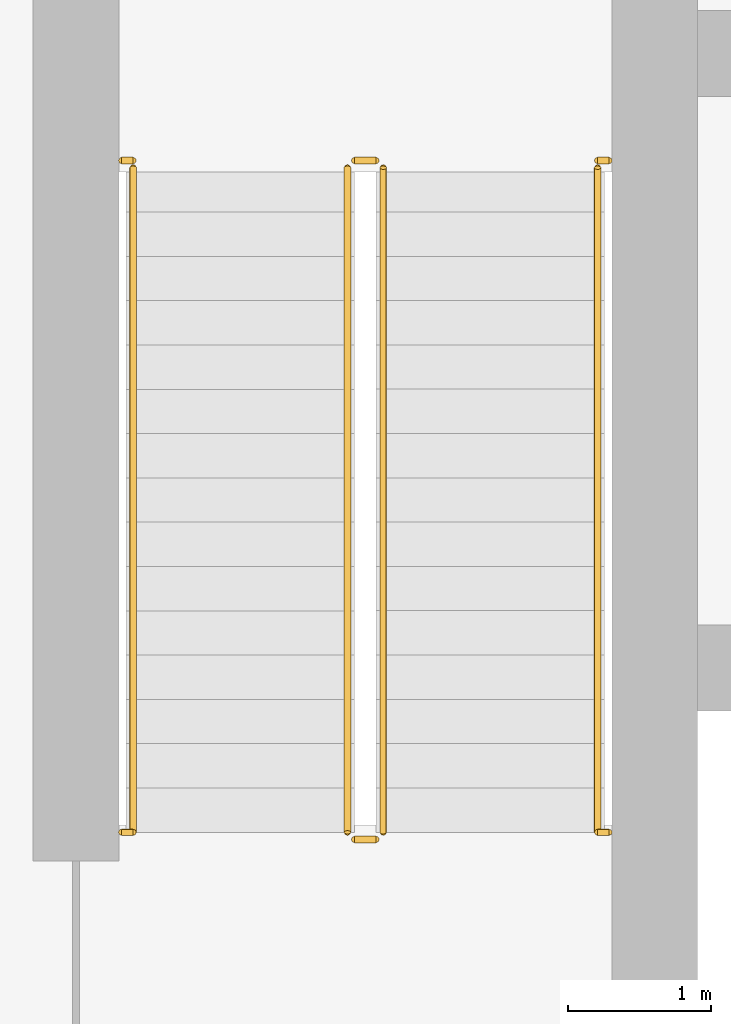
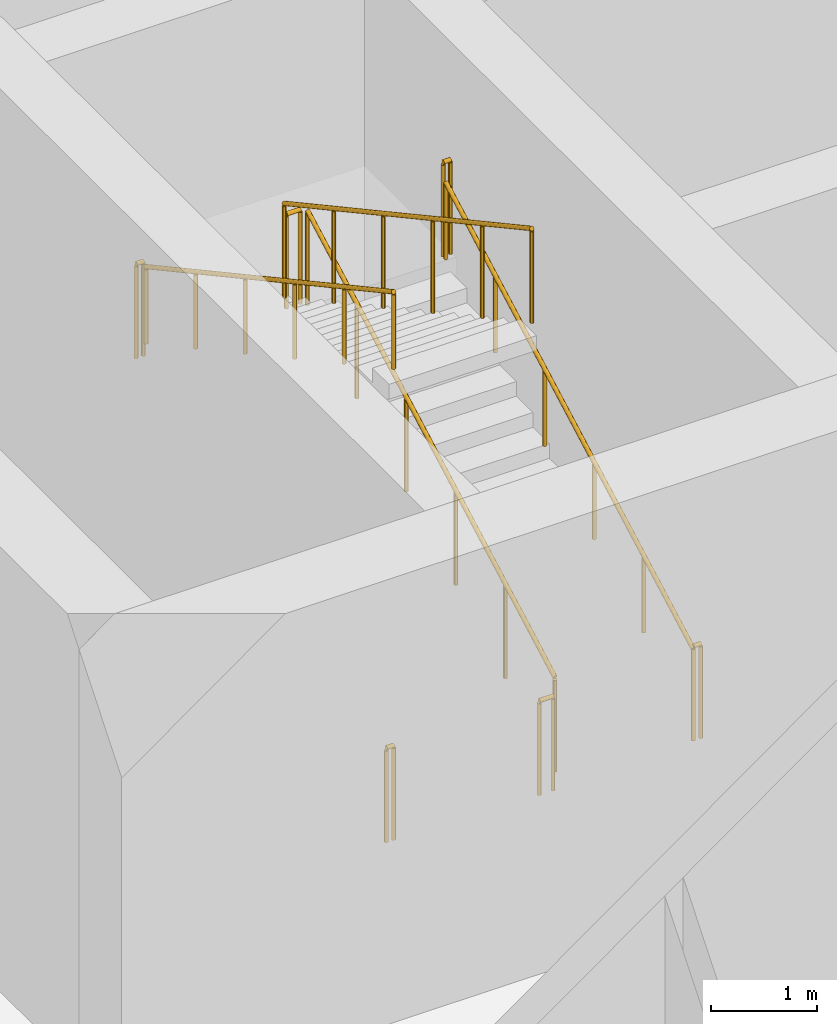
# One storey, part 20 of 25: 10 railings.
"""IFC4 building model written with IfcOpenShell, lengths in metres."""

from ifc_helpers import new_model, si_unit, direction, frame, origin, origin_2d, place, context, subcontext, project, spatial, circle, extrude, material, type_object, element, save


model = new_model("IFC4")

# Units and contexts
model_context = context("Model", 3, precision=1e-05, world=origin(), true_north=direction((0.0, 1.0)))
body_context = subcontext(model_context, "Body", "Model", "MODEL_VIEW")
ifc_project = project(units=[si_unit("LENGTHUNIT", "METRE"), si_unit("AREAUNIT", "SQUARE_METRE"), si_unit("VOLUMEUNIT", "CUBIC_METRE"), si_unit("PLANEANGLEUNIT", "RADIAN"), si_unit("MASSUNIT", "GRAM", prefix="KILO")], contexts=[model_context])

# Site, building, storey
site_placement = place(None, origin())
site = spatial("IfcSite", under=ifc_project, at=site_placement, CompositionType="ELEMENT")
building_placement = place(site_placement, origin())
building = spatial("IfcBuilding", under=site, at=building_placement, Name="Madar Terraces", CompositionType="ELEMENT")
storey_placement = place(building_placement, frame((0.0, 0.0, 113.699951171875)))
storey = spatial("IfcBuildingStorey", under=building, at=storey_placement, Name="L29", CompositionType="ELEMENT", Elevation=113.699951171875)

# Railings
ifc_material_1 = material(Name="Stainless steel railing", Category="steel")
railing_type_1 = type_object("IfcRailingType", Name="Stair guard 1100", PredefinedType="GUARDRAIL", material=ifc_material_1)
railing_1_placement = place(storey_placement, frame((21.199951171875, 17.60009765625, 0.168701171875)))
element("IfcRailing", 1, at=railing_1_placement, inside=storey, type_object=railing_type_1, Name="L29 ST1 stair guard 1", PredefinedType="GUARDRAIL", context=body_context, shape_type="SweptSolid", body=[
    extrude(circle(Radius=0.02392578125, at=origin_2d()), frame((0.0, 0.0, 1.076171875), z_axis=(0.0, 0.878297076953, 0.478115304728), x_axis=(-1.0, 0.0, 0.0)), (0.0, 0.0, 1.0), 5.294189453125),
    extrude(circle(Radius=0.02099609375, at=origin_2d()), origin(), (0.0, 0.0, 1.0), 1.052001953125),
    extrude(circle(Radius=0.02099609375, at=origin_2d()), frame((0.0, 0.929931640625, 0.50634765625)), (0.0, 0.0, 1.0), 1.052001953125),
    extrude(circle(Radius=0.02099609375, at=origin_2d()), frame((0.0, 1.85986328125, 1.012451171875)), (0.0, 0.0, 1.0), 1.052001953125),
    extrude(circle(Radius=0.02099609375, at=origin_2d()), frame((0.0, 2.7900390625, 1.518798828125)), (0.0, 0.0, 1.0), 1.052001953125),
    extrude(circle(Radius=0.02099609375, at=origin_2d()), frame((0.0, 3.719970703125, 2.02490234375)), (0.0, 0.0, 1.0), 1.052001953125),
    extrude(circle(Radius=0.02099609375, at=origin_2d()), frame((0.0, 4.64990234375, 2.53125)), (0.0, 0.0, 1.0), 1.052001953125),
])
railing_2_placement = place(storey_placement, frame((21.14990234375, 22.300048828125, 2.699951171875)))
element("IfcRailing", 2, at=railing_2_placement, inside=storey, type_object=railing_type_1, Name="L29 ST1 stair guard 2", PredefinedType="GUARDRAIL", context=body_context, shape_type="SweptSolid", body=[
    extrude(circle(Radius=0.02392578125, at=origin_2d()), frame((0.0, 0.0, 1.076171875), z_axis=(-1.0, 0.0, 0.0), x_axis=(0.0, -1.0, 0.0)), (0.0, 0.0, 1.0), 0.14990234375),
    extrude(circle(Radius=0.02099609375, at=origin_2d()), origin(), (0.0, 0.0, 1.0), 1.052001953125),
    extrude(circle(Radius=0.02099609375, at=origin_2d()), frame((-0.14990234375, 0.0, 0.0)), (0.0, 0.0, 1.0), 1.052001953125),
])
railing_3_placement = place(storey_placement, frame((20.949951171875, 22.25, 2.868896484375)))
element("IfcRailing", 3, at=railing_3_placement, inside=storey, type_object=railing_type_1, Name="L29 ST1 stair guard 3", PredefinedType="GUARDRAIL", context=body_context, shape_type="SweptSolid", body=[
    extrude(circle(Radius=0.02392578125, at=origin_2d()), frame((0.0, 0.0, 1.076171875), z_axis=(0.0, -0.878297076953, 0.478115304728), x_axis=(1.0, 0.0, 0.0)), (0.0, 0.0, 1.0), 5.294189453125),
    extrude(circle(Radius=0.02099609375, at=origin_2d()), origin(), (0.0, 0.0, 1.0), 1.052001953125),
    extrude(circle(Radius=0.02099609375, at=origin_2d()), frame((0.0, -0.929931640625, 0.50634765625)), (0.0, 0.0, 1.0), 1.052001953125),
    extrude(circle(Radius=0.02099609375, at=origin_2d()), frame((0.0, -1.85986328125, 1.012451171875)), (0.0, 0.0, 1.0), 1.052001953125),
    extrude(circle(Radius=0.02099609375, at=origin_2d()), frame((0.0, -2.7900390625, 1.518798828125)), (0.0, 0.0, 1.0), 1.052001953125),
    extrude(circle(Radius=0.02099609375, at=origin_2d()), frame((0.0, -3.719970703125, 2.02490234375)), (0.0, 0.0, 1.0), 1.052001953125),
    extrude(circle(Radius=0.02099609375, at=origin_2d()), frame((0.0, -4.64990234375, 2.53125)), (0.0, 0.0, 1.0), 1.052001953125),
])
railing_4_placement = place(storey_placement, frame((21.14990234375, 17.550048828125, 0.0)))
element("IfcRailing", 4, at=railing_4_placement, inside=storey, type_object=railing_type_1, Name="L29 ST1 stair guard 4", PredefinedType="GUARDRAIL", context=body_context, shape_type="SweptSolid", body=[
    extrude(circle(Radius=0.02392578125, at=origin_2d()), frame((0.0, 0.0, 1.076171875), z_axis=(-1.0, 0.0, 0.0), x_axis=(0.0, -1.0, 0.0)), (0.0, 0.0, 1.0), 0.14990234375),
    extrude(circle(Radius=0.02099609375, at=origin_2d()), origin(), (0.0, 0.0, 1.0), 1.052001953125),
    extrude(circle(Radius=0.02099609375, at=origin_2d()), frame((-0.14990234375, 0.0, 0.0)), (0.0, 0.0, 1.0), 1.052001953125),
])
railing_5_placement = place(storey_placement, frame((19.3701171875, 22.300048828125, 2.699951171875)))
element("IfcRailing", 5, at=railing_5_placement, inside=storey, type_object=railing_type_1, Name="L29 stair guard seat 1", PredefinedType="GUARDRAIL", context=body_context, shape_type="SweptSolid", body=[
    extrude(circle(Radius=0.02392578125, at=origin_2d()), frame((0.0, 0.0, 1.076171875), z_axis=(1.0, 0.0, 0.0), x_axis=(0.0, 1.0, 0.0)), (0.0, 0.0, 1.0), 0.079833984375),
    extrude(circle(Radius=0.02099609375, at=origin_2d()), origin(), (0.0, 0.0, 1.0), 1.052001953125),
    extrude(circle(Radius=0.02099609375, at=origin_2d()), frame((0.079833984375, 0.0, 0.0)), (0.0, 0.0, 1.0), 1.052001953125),
])
railing_6_placement = place(storey_placement, frame((22.699951171875, 22.300048828125, 2.699951171875)))
element("IfcRailing", 6, at=railing_6_placement, inside=storey, type_object=railing_type_1, Name="L29 stair guard seat 2", PredefinedType="GUARDRAIL", context=body_context, shape_type="SweptSolid", body=[
    extrude(circle(Radius=0.02392578125, at=origin_2d()), frame((0.0, 0.0, 1.076171875), z_axis=(1.0, 0.0, 0.0), x_axis=(0.0, 1.0, 0.0)), (0.0, 0.0, 1.0), 0.080078125),
    extrude(circle(Radius=0.02099609375, at=origin_2d()), origin(), (0.0, 0.0, 1.0), 1.052001953125),
    extrude(circle(Radius=0.02099609375, at=origin_2d()), frame((0.080078125, 0.0, 0.0)), (0.0, 0.0, 1.0), 1.052001953125),
])
railing_7_placement = place(storey_placement, frame((19.3701171875, 17.60009765625, 0.0)))
element("IfcRailing", 7, at=railing_7_placement, inside=storey, type_object=railing_type_1, Name="L29 stair guard floor 1", PredefinedType="GUARDRAIL", context=body_context, shape_type="SweptSolid", body=[
    extrude(circle(Radius=0.02392578125, at=origin_2d()), frame((0.0, 0.0, 1.076171875), z_axis=(1.0, 0.0, 0.0), x_axis=(0.0, 1.0, 0.0)), (0.0, 0.0, 1.0), 0.079833984375),
    extrude(circle(Radius=0.02099609375, at=origin_2d()), origin(), (0.0, 0.0, 1.0), 1.052001953125),
    extrude(circle(Radius=0.02099609375, at=origin_2d()), frame((0.079833984375, 0.0, 0.0)), (0.0, 0.0, 1.0), 1.052001953125),
])
railing_8_placement = place(storey_placement, frame((22.699951171875, 17.60009765625, 0.0)))
element("IfcRailing", 8, at=railing_8_placement, inside=storey, type_object=railing_type_1, Name="L29 stair guard floor 2", PredefinedType="GUARDRAIL", context=body_context, shape_type="SweptSolid", body=[
    extrude(circle(Radius=0.02392578125, at=origin_2d()), frame((0.0, 0.0, 1.076171875), z_axis=(1.0, 0.0, 0.0), x_axis=(0.0, 1.0, 0.0)), (0.0, 0.0, 1.0), 0.080078125),
    extrude(circle(Radius=0.02099609375, at=origin_2d()), origin(), (0.0, 0.0, 1.0), 1.052001953125),
    extrude(circle(Radius=0.02099609375, at=origin_2d()), frame((0.080078125, 0.0, 0.0)), (0.0, 0.0, 1.0), 1.052001953125),
])
ifc_material_2 = material(Name="Stainless steel railing", Category="steel")
railing_type_2 = type_object("IfcRailingType", Name="Stair handrail 900", PredefinedType="HANDRAIL", material=ifc_material_2)
railing_9_placement = place(storey_placement, frame((22.699951171875, 17.60009765625, 0.168701171875)))
element("IfcRailing", 9, at=railing_9_placement, inside=storey, type_object=railing_type_2, Name="L29 ST1 stair handrail 1", PredefinedType="HANDRAIL", context=body_context, shape_type="SweptSolid", body=[
    extrude(circle(Radius=0.02392578125, at=origin_2d()), frame((0.0, 0.0, 0.8759765625), z_axis=(0.0, 0.878297076953, 0.478115304728), x_axis=(-1.0, 0.0, 0.0)), (0.0, 0.0, 1.0), 5.294189453125),
    extrude(circle(Radius=0.02099609375, at=origin_2d()), origin(), (0.0, 0.0, 1.0), 0.851806640625),
    extrude(circle(Radius=0.02099609375, at=origin_2d()), frame((0.0, 0.929931640625, 0.50634765625)), (0.0, 0.0, 1.0), 0.851806640625),
    extrude(circle(Radius=0.02099609375, at=origin_2d()), frame((0.0, 1.85986328125, 1.012451171875)), (0.0, 0.0, 1.0), 0.851806640625),
    extrude(circle(Radius=0.02099609375, at=origin_2d()), frame((0.0, 2.7900390625, 1.518798828125)), (0.0, 0.0, 1.0), 0.851806640625),
    extrude(circle(Radius=0.02099609375, at=origin_2d()), frame((0.0, 3.719970703125, 2.02490234375)), (0.0, 0.0, 1.0), 0.851806640625),
    extrude(circle(Radius=0.02099609375, at=origin_2d()), frame((0.0, 4.64990234375, 2.53125)), (0.0, 0.0, 1.0), 0.851806640625),
])
railing_10_placement = place(storey_placement, frame((19.449951171875, 22.25, 2.868896484375)))
element("IfcRailing", 10, at=railing_10_placement, inside=storey, type_object=railing_type_2, Name="L29 ST1 stair handrail 2", PredefinedType="HANDRAIL", context=body_context, shape_type="SweptSolid", body=[
    extrude(circle(Radius=0.02392578125, at=origin_2d()), frame((0.0, 0.0, 0.8759765625), z_axis=(0.0, -0.878297076953, 0.478115304728), x_axis=(1.0, 0.0, 0.0)), (0.0, 0.0, 1.0), 5.294189453125),
    extrude(circle(Radius=0.02099609375, at=origin_2d()), origin(), (0.0, 0.0, 1.0), 0.851806640625),
    extrude(circle(Radius=0.02099609375, at=origin_2d()), frame((0.0, -0.929931640625, 0.50634765625)), (0.0, 0.0, 1.0), 0.851806640625),
    extrude(circle(Radius=0.02099609375, at=origin_2d()), frame((0.0, -1.85986328125, 1.012451171875)), (0.0, 0.0, 1.0), 0.851806640625),
    extrude(circle(Radius=0.02099609375, at=origin_2d()), frame((0.0, -2.7900390625, 1.518798828125)), (0.0, 0.0, 1.0), 0.851806640625),
    extrude(circle(Radius=0.02099609375, at=origin_2d()), frame((0.0, -3.719970703125, 2.02490234375)), (0.0, 0.0, 1.0), 0.851806640625),
    extrude(circle(Radius=0.02099609375, at=origin_2d()), frame((0.0, -4.64990234375, 2.53125)), (0.0, 0.0, 1.0), 0.851806640625),
])

save(model, "model.ifc")
